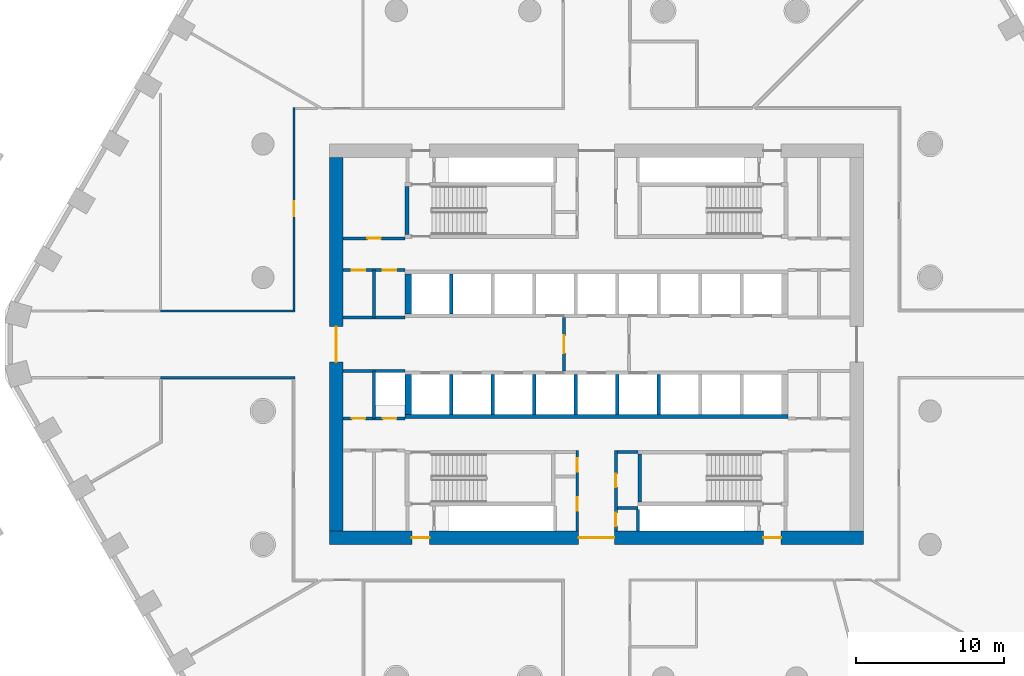
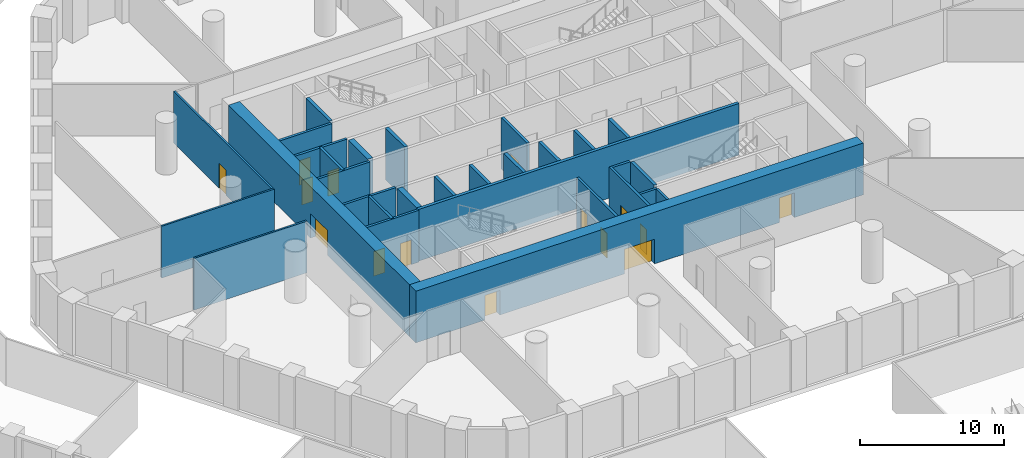
# One storey, part 19 of 42: 30 walls, 15 doors, 15 openings.
"""IFC4 building model written with IfcOpenShell, lengths in metres."""

from ifc_helpers import new_model, si_unit, direction, frame, frame_2d, origin, place, context, subcontext, project, spatial, polyline, rectangle, outline, extrude, material, layer, layer_set, type_object, element, fill, save


model = new_model("IFC4")

# Units and contexts
model_context = context("Model", 3, precision=1e-05, world=origin(), true_north=direction((0.0, 1.0)))
body_context = subcontext(model_context, "Body", "Model", "MODEL_VIEW")
ifc_project = project(units=[si_unit("LENGTHUNIT", "METRE"), si_unit("AREAUNIT", "SQUARE_METRE"), si_unit("VOLUMEUNIT", "CUBIC_METRE"), si_unit("PLANEANGLEUNIT", "RADIAN"), si_unit("MASSUNIT", "GRAM", prefix="KILO")], contexts=[model_context])

# Site, building, storey
site_placement = place(None, origin())
site = spatial("IfcSite", under=ifc_project, at=site_placement, CompositionType="ELEMENT")
building_placement = place(site_placement, origin())
building = spatial("IfcBuilding", under=site, at=building_placement, Name="Dhurran Vertical Campus", CompositionType="ELEMENT")
storey_placement = place(building_placement, frame((0.0, 0.0, 6.0)))
storey = spatial("IfcBuildingStorey", under=building, at=storey_placement, Name="L01", CompositionType="ELEMENT", Elevation=6.0)

# Wall, openings, doors
ifc_material_1 = material(Name="Concrete C60/75", Category="concrete")
ifc_layer_1 = layer(ifc_material_1, 0.89990234375)
ifc_layer_set_1 = layer_set([ifc_layer_1], Name="Concrete C60/75")
wall_type_1 = type_object("IfcWallType", Name="co-CORE-WALL-C0-900", PredefinedType="SHEAR", material=ifc_layer_set_1)
wall_1_placement = place(storey_placement, frame((-18.0, -13.050048828125, 0.0), z_axis=(0.0, 0.0, 1.0), x_axis=(1.0, 0.0, 0.0)))
wall_1 = element("IfcWall", 1, at=wall_1_placement, inside=storey, type_object=wall_type_1, Name="Core wall S L01", PredefinedType="SHEAR", context=body_context, shape_type="SweptSolid", body=[
    extrude(rectangle(XDim=36.0, YDim=0.89990234375, at=frame_2d((18.0, 0.0))), origin(), (0.0, 0.0, 1.0), 4.39990234375),
])
opening_1_placement = place(wall_1_placement, frame((16.800048828125, 0.0, 0.0)))
opening_1 = element("IfcOpeningElement", 2, at=opening_1_placement, cuts=wall_1, Name="Opening CV2", PredefinedType="OPENING", context=body_context, shape_type="SweptSolid", body=[
    extrude(rectangle(XDim=2.39990234375, YDim=2.10009765625, at=frame_2d((1.199951171875, 1.050048828125))), frame((0.0, 0.4599609375, 0.0), z_axis=(0.0, -1.0, 0.0), x_axis=(1.0, 0.0, 0.0)), (0.0, 0.0, 1.0), 0.919921875),
])
opening_2_placement = place(wall_1_placement, frame((5.550048828125, 0.0, 0.0)))
opening_2 = element("IfcOpeningElement", 3, at=opening_2_placement, cuts=wall_1, Name="Opening XD3", PredefinedType="OPENING", context=body_context, shape_type="SweptSolid", body=[
    extrude(rectangle(XDim=1.199951171875, YDim=2.10009765625, at=frame_2d((0.60009765625, 1.050048828125))), frame((0.0, 0.4599609375, 0.0), z_axis=(0.0, -1.0, 0.0), x_axis=(1.0, 0.0, 0.0)), (0.0, 0.0, 1.0), 0.919921875),
])
opening_3_placement = place(wall_1_placement, frame((29.25, 0.0, 0.0)))
opening_3 = element("IfcOpeningElement", 4, at=opening_3_placement, cuts=wall_1, Name="Opening XD4", PredefinedType="OPENING", context=body_context, shape_type="SweptSolid", body=[
    extrude(rectangle(XDim=1.199951171875, YDim=2.10009765625, at=frame_2d((0.60009765625, 1.050048828125))), frame((0.0, 0.4599609375, 0.0), z_axis=(0.0, -1.0, 0.0), x_axis=(1.0, 0.0, 0.0)), (0.0, 0.0, 1.0), 0.919921875),
])
ifc_material_2 = material(Name="Fire-rated glazed door set")
door_type_1 = type_object("IfcDoorType", Name="co-D-LOBBY 2400x2100", OperationType="DOUBLE_DOOR_DOUBLE_SWING", PredefinedType="DOOR", material=ifc_material_2)
door_1_placement = place(opening_1_placement, origin())
door_1 = element("IfcDoor", 5, at=door_1_placement, inside=storey, type_object=door_type_1, Name="Core vestibule door S L01", OperationType="DOUBLE_DOOR_DOUBLE_SWING", OverallHeight=2.10009765625, OverallWidth=2.39990234375, PredefinedType="DOOR", context=body_context, shape_type="SweptSolid", body=[
    extrude(rectangle(XDim=2.39990234375, YDim=2.10009765625, at=frame_2d((1.199951171875, 1.050048828125))), frame((0.0, 0.02490234375, 0.0), z_axis=(0.0, -1.0, 0.0), x_axis=(1.0, 0.0, 0.0)), (0.0, 0.0, 1.0), 0.050048828125),
])
fill(opening_1, door_1)
ifc_material_3 = material(Name="Fire-rated steel door set", Category="steel")
door_type_2 = type_object("IfcDoorType", Name="co-D-STAIR-EXIT 1200x2100", OperationType="SINGLE_SWING_RIGHT", PredefinedType="DOOR", material=ifc_material_3)
door_2_placement = place(opening_2_placement, origin())
door_2 = element("IfcDoor", 6, at=door_2_placement, inside=storey, type_object=door_type_2, Name="Stair ST3 exit door L01", OperationType="SINGLE_SWING_RIGHT", OverallHeight=2.10009765625, OverallWidth=1.199951171875, PredefinedType="DOOR", context=body_context, shape_type="SweptSolid", body=[
    extrude(rectangle(XDim=1.199951171875, YDim=2.10009765625, at=frame_2d((0.60009765625, 1.050048828125))), frame((0.0, 0.02490234375, 0.0), z_axis=(0.0, -1.0, 0.0), x_axis=(1.0, 0.0, 0.0)), (0.0, 0.0, 1.0), 0.050048828125),
])
fill(opening_2, door_2)
door_3_placement = place(opening_3_placement, origin())
door_3 = element("IfcDoor", 7, at=door_3_placement, inside=storey, type_object=door_type_2, Name="Stair ST4 exit door L01", OperationType="SINGLE_SWING_RIGHT", OverallHeight=2.10009765625, OverallWidth=1.199951171875, PredefinedType="DOOR", context=body_context, shape_type="SweptSolid", body=[
    extrude(rectangle(XDim=1.199951171875, YDim=2.10009765625, at=frame_2d((0.60009765625, 1.050048828125))), frame((0.0, 0.02490234375, 0.0), z_axis=(0.0, -1.0, 0.0), x_axis=(1.0, 0.0, 0.0)), (0.0, 0.0, 1.0), 0.050048828125),
])
fill(opening_3, door_3)

# Wall, opening, door
wall_2_placement = place(storey_placement, frame((-17.550048828125, -12.60009765625, 0.0), z_axis=(0.0, 0.0, 1.0), x_axis=(0.0, 1.0, 0.0)))
wall_2 = element("IfcWall", 8, at=wall_2_placement, inside=storey, type_object=wall_type_1, Name="Core wall W L01", PredefinedType="SHEAR", context=body_context, shape_type="SweptSolid", body=[
    extrude(rectangle(XDim=25.2001953125, YDim=0.89990234375, at=frame_2d((12.60009765625, 0.0))), origin(), (0.0, 0.0, 1.0), 4.39990234375),
])
opening_4_placement = place(wall_2_placement, frame((11.39990234375, 0.0, 0.0)))
opening_4 = element("IfcOpeningElement", 9, at=opening_4_placement, cuts=wall_2, Name="Opening CL1", PredefinedType="OPENING", context=body_context, shape_type="SweptSolid", body=[
    extrude(rectangle(XDim=2.39990234375, YDim=2.10009765625, at=frame_2d((1.199951171875, 1.050048828125))), frame((0.0, 0.4599609375, 0.0), z_axis=(0.0, -1.0, 0.0), x_axis=(1.0, 0.0, 0.0)), (0.0, 0.0, 1.0), 0.919921875),
])
door_4_placement = place(opening_4_placement, origin())
door_4 = element("IfcDoor", 10, at=door_4_placement, inside=storey, type_object=door_type_1, Name="Lift lobby door W L01", OperationType="DOUBLE_DOOR_DOUBLE_SWING", OverallHeight=2.10009765625, OverallWidth=2.39990234375, PredefinedType="DOOR", context=body_context, shape_type="SweptSolid", body=[
    extrude(rectangle(XDim=2.39990234375, YDim=2.10009765625, at=frame_2d((1.199951171875, 1.050048828125))), frame((0.0, 0.02490234375, 0.0), z_axis=(0.0, -1.0, 0.0), x_axis=(1.0, 0.0, 0.0)), (0.0, 0.0, 1.0), 0.050048828125),
])
fill(opening_4, door_4)

ifc_material_4 = material(Name="Fire-rated masonry blockwork", Category="masonry")
ifc_layer_2 = layer(ifc_material_4, 0.199951171875)
ifc_layer_set_2 = layer_set([ifc_layer_2], Name="Fire-rated masonry blockwork")
wall_type_2 = type_object("IfcWallType", Name="co-FIRE-PARTITION-200", PredefinedType="PARTITIONING", material=ifc_layer_set_2)
wall_3_placement = place(storey_placement, frame((-2.199951171875, -1.800048828125, 0.0), z_axis=(0.0, 0.0, 1.0), x_axis=(0.0, 1.0, 0.0)))
wall_3 = element("IfcWall", 11, at=wall_3_placement, inside=storey, type_object=wall_type_2, Name="Firefighting lobby wall W L01", PredefinedType="PARTITIONING", context=body_context, shape_type="SweptSolid", body=[
    extrude(rectangle(XDim=3.60009765625, YDim=0.199951171875, at=frame_2d((1.800048828125, 0.0))), origin(), (0.0, 0.0, 1.0), 4.39990234375),
])
opening_5_placement = place(wall_3_placement, frame((1.199951171875, 0.0, 0.0)))
opening_5 = element("IfcOpeningElement", 12, at=opening_5_placement, cuts=wall_3, Name="Opening FL1", PredefinedType="OPENING", context=body_context, shape_type="SweptSolid", body=[
    extrude(rectangle(XDim=1.199951171875, YDim=2.10009765625, at=frame_2d((0.60009765625, 1.050048828125))), frame((0.0, 0.10986328125, 0.0), z_axis=(0.0, -1.0, 0.0), x_axis=(1.0, 0.0, 0.0)), (0.0, 0.0, 1.0), 0.219970703125),
])
ifc_material_5 = material(Name="Fire-rated steel door set", Category="steel")
door_type_3 = type_object("IfcDoorType", Name="co-D-FFLOBBY 1200x2100", OperationType="SINGLE_SWING_LEFT", PredefinedType="DOOR", material=ifc_material_5)
door_5_placement = place(opening_5_placement, origin())
door_5 = element("IfcDoor", 13, at=door_5_placement, inside=storey, type_object=door_type_3, Name="Firefighting lobby door W L01", OperationType="SINGLE_SWING_LEFT", OverallHeight=2.10009765625, OverallWidth=1.199951171875, PredefinedType="DOOR", context=body_context, shape_type="SweptSolid", body=[
    extrude(rectangle(XDim=1.199951171875, YDim=2.10009765625, at=frame_2d((0.60009765625, 1.050048828125))), frame((0.0, 0.02490234375, 0.0), z_axis=(0.0, -1.0, 0.0), x_axis=(1.0, 0.0, 0.0)), (0.0, 0.0, 1.0), 0.050048828125),
])
fill(opening_5, door_5)

# Walls
for number, where, z_axis, x_axis, name in (
    (14, (1.39990234375, -7.25, 0.0), (0.0, 0.0, 1.0), (1.0, 0.0, 0.0), "Core partition sl-SE-S L01"),
    (15, (1.39990234375, -11.02490234375, 0.0), (0.0, 0.0, 1.0), (1.0, 0.0, 0.0), "Core partition sl-SE-cut0 L01"),
):
    element("IfcWall", number, at=place(storey_placement, frame(where, z_axis=z_axis, x_axis=x_axis)), inside=storey, type_object=wall_type_2, Name=name, PredefinedType="PARTITIONING", context=body_context, shape_type="SweptSolid", body=[
        extrude(rectangle(XDim=1.400146484375, YDim=0.199951171875, at=frame_2d((0.7001953125, 0.0))), origin(), (0.0, 0.0, 1.0), 4.39990234375),
    ])

# Wall, openings, doors
wall_4_placement = place(storey_placement, frame((-1.300048828125, -12.60009765625, 0.0), z_axis=(0.0, 0.0, 1.0), x_axis=(0.0, 1.0, 0.0)))
wall_4 = element("IfcWall", 16, at=wall_4_placement, inside=storey, type_object=wall_type_2, Name="Core partition vest-SW L01", PredefinedType="PARTITIONING", context=body_context, shape_type="SweptSolid", body=[
    extrude(rectangle(XDim=5.4501953125, YDim=0.199951171875, at=frame_2d((2.72509765625, 0.0))), origin(), (0.0, 0.0, 1.0), 4.39990234375),
])
opening_6_placement = place(wall_4_placement, frame((1.387451171875, 0.0, 0.0)))
opening_6 = element("IfcOpeningElement", 17, at=opening_6_placement, cuts=wall_4, Name="Opening PD01-C1", PredefinedType="OPENING", context=body_context, shape_type="SweptSolid", body=[
    extrude(rectangle(XDim=0.89990234375, YDim=2.10009765625, at=frame_2d((0.449951171875, 1.050048828125))), frame((0.0, 0.10986328125, 0.0), z_axis=(0.0, -1.0, 0.0), x_axis=(1.0, 0.0, 0.0)), (0.0, 0.0, 1.0), 0.219970703125),
])
opening_7_placement = place(wall_4_placement, frame((4.012451171875, 0.0, 0.0)))
opening_7 = element("IfcOpeningElement", 18, at=opening_7_placement, cuts=wall_4, Name="Opening PD01-C2", PredefinedType="OPENING", context=body_context, shape_type="SweptSolid", body=[
    extrude(rectangle(XDim=0.89990234375, YDim=2.10009765625, at=frame_2d((0.449951171875, 1.050048828125))), frame((0.0, 0.10986328125, 0.0), z_axis=(0.0, -1.0, 0.0), x_axis=(1.0, 0.0, 0.0)), (0.0, 0.0, 1.0), 0.219970703125),
])
ifc_material_6 = material(Name="Fire-rated timber door set", Category="wood")
door_type_4 = type_object("IfcDoorType", Name="co-D-ROOM 900x2100", OperationType="SINGLE_SWING_LEFT", PredefinedType="DOOR", material=ifc_material_6)
door_6_placement = place(opening_6_placement, origin())
door_6 = element("IfcDoor", 19, at=door_6_placement, inside=storey, type_object=door_type_4, Name="Store door L01", OperationType="SINGLE_SWING_LEFT", OverallHeight=2.10009765625, OverallWidth=0.89990234375, PredefinedType="DOOR", context=body_context, shape_type="SweptSolid", body=[
    extrude(rectangle(XDim=0.89990234375, YDim=2.10009765625, at=frame_2d((0.449951171875, 1.050048828125))), frame((0.0, 0.02490234375, 0.0), z_axis=(0.0, -1.0, 0.0), x_axis=(1.0, 0.0, 0.0)), (0.0, 0.0, 1.0), 0.050048828125),
])
fill(opening_6, door_6)
door_7_placement = place(opening_7_placement, origin())
door_7 = element("IfcDoor", 20, at=door_7_placement, inside=storey, type_object=door_type_4, Name="Housekeeping store door L01", OperationType="SINGLE_SWING_LEFT", OverallHeight=2.10009765625, OverallWidth=0.89990234375, PredefinedType="DOOR", context=body_context, shape_type="SweptSolid", body=[
    extrude(rectangle(XDim=0.89990234375, YDim=2.10009765625, at=frame_2d((0.449951171875, 1.050048828125))), frame((0.0, 0.02490234375, 0.0), z_axis=(0.0, -1.0, 0.0), x_axis=(1.0, 0.0, 0.0)), (0.0, 0.0, 1.0), 0.050048828125),
])
fill(opening_7, door_7)

wall_5_placement = place(storey_placement, frame((1.300048828125, -12.60009765625, 0.0), z_axis=(0.0, 0.0, 1.0), x_axis=(0.0, 1.0, 0.0)))
wall_5 = element("IfcWall", 21, at=wall_5_placement, inside=storey, type_object=wall_type_2, Name="Core partition vest-SE L01", PredefinedType="PARTITIONING", context=body_context, shape_type="SweptSolid", body=[
    extrude(rectangle(XDim=5.4501953125, YDim=0.199951171875, at=frame_2d((2.72509765625, 0.0))), origin(), (0.0, 0.0, 1.0), 4.39990234375),
])
opening_8_placement = place(wall_5_placement, frame((0.33740234375, 0.0, 0.0)))
opening_8 = element("IfcOpeningElement", 22, at=opening_8_placement, cuts=wall_5, Name="Opening PD01-C3", PredefinedType="OPENING", context=body_context, shape_type="SweptSolid", body=[
    extrude(rectangle(XDim=0.89990234375, YDim=2.10009765625, at=frame_2d((0.449951171875, 1.050048828125))), frame((0.0, 0.10986328125, 0.0), z_axis=(0.0, -1.0, 0.0), x_axis=(1.0, 0.0, 0.0)), (0.0, 0.0, 1.0), 0.219970703125),
])
opening_9_placement = place(wall_5_placement, frame((2.96240234375, 0.0, 0.0)))
opening_9 = element("IfcOpeningElement", 23, at=opening_9_placement, cuts=wall_5, Name="Opening PD01-C4", PredefinedType="OPENING", context=body_context, shape_type="SweptSolid", body=[
    extrude(rectangle(XDim=0.89990234375, YDim=2.10009765625, at=frame_2d((0.449951171875, 1.050048828125))), frame((0.0, 0.10986328125, 0.0), z_axis=(0.0, -1.0, 0.0), x_axis=(1.0, 0.0, 0.0)), (0.0, 0.0, 1.0), 0.219970703125),
])
door_8_placement = place(opening_8_placement, origin())
door_8 = element("IfcDoor", 24, at=door_8_placement, inside=storey, type_object=door_type_4, Name="Waste room door L01", OperationType="SINGLE_SWING_LEFT", OverallHeight=2.10009765625, OverallWidth=0.89990234375, PredefinedType="DOOR", context=body_context, shape_type="SweptSolid", body=[
    extrude(rectangle(XDim=0.89990234375, YDim=2.10009765625, at=frame_2d((0.449951171875, 1.050048828125))), frame((0.0, 0.02490234375, 0.0), z_axis=(0.0, -1.0, 0.0), x_axis=(1.0, 0.0, 0.0)), (0.0, 0.0, 1.0), 0.050048828125),
])
fill(opening_8, door_8)
door_9_placement = place(opening_9_placement, origin())
door_9 = element("IfcDoor", 25, at=door_9_placement, inside=storey, type_object=door_type_4, Name="Electrical riser door L01", OperationType="SINGLE_SWING_LEFT", OverallHeight=2.10009765625, OverallWidth=0.89990234375, PredefinedType="DOOR", context=body_context, shape_type="SweptSolid", body=[
    extrude(rectangle(XDim=0.89990234375, YDim=2.10009765625, at=frame_2d((0.449951171875, 1.050048828125))), frame((0.0, 0.02490234375, 0.0), z_axis=(0.0, -1.0, 0.0), x_axis=(1.0, 0.0, 0.0)), (0.0, 0.0, 1.0), 0.050048828125),
])
fill(opening_9, door_9)

# Wall, opening, door
wall_6_placement = place(storey_placement, frame((-17.10009765625, 7.14990234375, 0.0), z_axis=(0.0, 0.0, 1.0), x_axis=(1.0, 0.0, 0.0)))
wall_6 = element("IfcWall", 26, at=wall_6_placement, inside=storey, type_object=wall_type_2, Name="Core partition en-NW-w L01", PredefinedType="PARTITIONING", context=body_context, shape_type="SweptSolid", body=[
    extrude(rectangle(XDim=4.2001953125, YDim=0.199951171875, at=frame_2d((2.10009765625, 0.0))), origin(), (0.0, 0.0, 1.0), 4.39990234375),
])
opening_10_placement = place(wall_6_placement, frame((1.64990234375, 0.0, 0.0)))
opening_10 = element("IfcOpeningElement", 27, at=opening_10_placement, cuts=wall_6, Name="Opening PD01-C12", PredefinedType="OPENING", context=body_context, shape_type="SweptSolid", body=[
    extrude(rectangle(XDim=0.89990234375, YDim=2.10009765625, at=frame_2d((0.449951171875, 1.050048828125))), frame((0.0, 0.10986328125, 0.0), z_axis=(0.0, -1.0, 0.0), x_axis=(1.0, 0.0, 0.0)), (0.0, 0.0, 1.0), 0.219970703125),
])
door_10_placement = place(opening_10_placement, origin())
door_10 = element("IfcDoor", 28, at=door_10_placement, inside=storey, type_object=door_type_4, Name="Communications room door L01", OperationType="SINGLE_SWING_LEFT", OverallHeight=2.10009765625, OverallWidth=0.89990234375, PredefinedType="DOOR", context=body_context, shape_type="SweptSolid", body=[
    extrude(rectangle(XDim=0.89990234375, YDim=2.10009765625, at=frame_2d((0.449951171875, 1.050048828125))), frame((0.0, 0.02490234375, 0.0), z_axis=(0.0, -1.0, 0.0), x_axis=(1.0, 0.0, 0.0)), (0.0, 0.0, 1.0), 0.050048828125),
])
fill(opening_10, door_10)

# Wall
wall_7_placement = place(storey_placement, frame((-15.0, 1.800048828125, 0.0), z_axis=(0.0, 0.0, 1.0), x_axis=(0.0, 1.0, 0.0)))
element("IfcWall", 29, at=wall_7_placement, inside=storey, type_object=wall_type_2, Name="Core partition es-NW-cut0 L01", PredefinedType="PARTITIONING", context=body_context, shape_type="SweptSolid", body=[
    extrude(rectangle(XDim=3.199951171875, YDim=0.199951171875, at=frame_2d((1.60009765625, 0.0))), origin(), (0.0, 0.0, 1.0), 4.39990234375),
])

# Wall, openings, doors
wall_8_placement = place(storey_placement, frame((-17.10009765625, 5.0, 0.0), z_axis=(0.0, 0.0, 1.0), x_axis=(1.0, 0.0, 0.0)))
wall_8 = element("IfcWall", 30, at=wall_8_placement, inside=storey, type_object=wall_type_2, Name="Core partition es-NW-w L01", PredefinedType="PARTITIONING", context=body_context, shape_type="SweptSolid", body=[
    extrude(rectangle(XDim=4.2001953125, YDim=0.199951171875, at=frame_2d((2.10009765625, 0.0))), origin(), (0.0, 0.0, 1.0), 4.39990234375),
])
opening_11_placement = place(wall_8_placement, frame((0.60009765625, 0.0, 0.0)))
opening_11 = element("IfcOpeningElement", 31, at=opening_11_placement, cuts=wall_8, Name="Opening PD01-C13", PredefinedType="OPENING", context=body_context, shape_type="SweptSolid", body=[
    extrude(rectangle(XDim=0.89990234375, YDim=2.10009765625, at=frame_2d((0.449951171875, 1.050048828125))), frame((0.0, 0.10986328125, 0.0), z_axis=(0.0, -1.0, 0.0), x_axis=(1.0, 0.0, 0.0)), (0.0, 0.0, 1.0), 0.219970703125),
])
opening_12_placement = place(wall_8_placement, frame((2.699951171875, 0.0, 0.0)))
opening_12 = element("IfcOpeningElement", 32, at=opening_12_placement, cuts=wall_8, Name="Opening PD01-C14", PredefinedType="OPENING", context=body_context, shape_type="SweptSolid", body=[
    extrude(rectangle(XDim=0.89990234375, YDim=2.10009765625, at=frame_2d((0.449951171875, 1.050048828125))), frame((0.0, 0.10986328125, 0.0), z_axis=(0.0, -1.0, 0.0), x_axis=(1.0, 0.0, 0.0)), (0.0, 0.0, 1.0), 0.219970703125),
])
door_11_placement = place(opening_11_placement, origin())
door_11 = element("IfcDoor", 33, at=door_11_placement, inside=storey, type_object=door_type_4, Name="Fire equipment store door L01", OperationType="SINGLE_SWING_LEFT", OverallHeight=2.10009765625, OverallWidth=0.89990234375, PredefinedType="DOOR", context=body_context, shape_type="SweptSolid", body=[
    extrude(rectangle(XDim=0.89990234375, YDim=2.10009765625, at=frame_2d((0.449951171875, 1.050048828125))), frame((0.0, 0.02490234375, 0.0), z_axis=(0.0, -1.0, 0.0), x_axis=(1.0, 0.0, 0.0)), (0.0, 0.0, 1.0), 0.050048828125),
])
fill(opening_11, door_11)
door_12_placement = place(opening_12_placement, origin())
door_12 = element("IfcDoor", 34, at=door_12_placement, inside=storey, type_object=door_type_4, Name="Water riser door L01", OperationType="SINGLE_SWING_LEFT", OverallHeight=2.10009765625, OverallWidth=0.89990234375, PredefinedType="DOOR", context=body_context, shape_type="SweptSolid", body=[
    extrude(rectangle(XDim=0.89990234375, YDim=2.10009765625, at=frame_2d((0.449951171875, 1.050048828125))), frame((0.0, 0.02490234375, 0.0), z_axis=(0.0, -1.0, 0.0), x_axis=(1.0, 0.0, 0.0)), (0.0, 0.0, 1.0), 0.050048828125),
])
fill(opening_12, door_12)

# Walls
wall_9_placement = place(storey_placement, frame((-17.10009765625, 1.800048828125, 0.0), z_axis=(0.0, 0.0, 1.0), x_axis=(1.0, 0.0, 0.0)))
element("IfcWall", 35, at=wall_9_placement, inside=storey, type_object=wall_type_2, Name="Core partition es-NW-l L01", PredefinedType="PARTITIONING", context=body_context, shape_type="SweptSolid", body=[
    extrude(rectangle(XDim=4.2001953125, YDim=0.199951171875, at=frame_2d((2.10009765625, 0.0))), origin(), (0.0, 0.0, 1.0), 4.39990234375),
])
wall_10_placement = place(storey_placement, frame((-15.0, -5.0, 0.0), z_axis=(0.0, 0.0, 1.0), x_axis=(0.0, 1.0, 0.0)))
element("IfcWall", 36, at=wall_10_placement, inside=storey, type_object=wall_type_2, Name="Core partition es-SW-cut0 L01", PredefinedType="PARTITIONING", context=body_context, shape_type="SweptSolid", body=[
    extrude(rectangle(XDim=3.199951171875, YDim=0.199951171875, at=frame_2d((1.60009765625, 0.0))), origin(), (0.0, 0.0, 1.0), 4.39990234375),
])

# Wall, openings, doors
wall_11_placement = place(storey_placement, frame((-17.10009765625, -5.0, 0.0), z_axis=(0.0, 0.0, 1.0), x_axis=(1.0, 0.0, 0.0)))
wall_11 = element("IfcWall", 37, at=wall_11_placement, inside=storey, type_object=wall_type_2, Name="Core partition es-SW-w L01", PredefinedType="PARTITIONING", context=body_context, shape_type="SweptSolid", body=[
    extrude(rectangle(XDim=4.2001953125, YDim=0.199951171875, at=frame_2d((2.10009765625, 0.0))), origin(), (0.0, 0.0, 1.0), 4.39990234375),
])
opening_13_placement = place(wall_11_placement, frame((0.60009765625, 0.0, 0.0)))
opening_13 = element("IfcOpeningElement", 38, at=opening_13_placement, cuts=wall_11, Name="Opening PD01-C21", PredefinedType="OPENING", context=body_context, shape_type="SweptSolid", body=[
    extrude(rectangle(XDim=0.89990234375, YDim=2.10009765625, at=frame_2d((0.449951171875, 1.050048828125))), frame((0.0, 0.10986328125, 0.0), z_axis=(0.0, -1.0, 0.0), x_axis=(1.0, 0.0, 0.0)), (0.0, 0.0, 1.0), 0.219970703125),
])
opening_14_placement = place(wall_11_placement, frame((2.699951171875, 0.0, 0.0)))
opening_14 = element("IfcOpeningElement", 39, at=opening_14_placement, cuts=wall_11, Name="Opening PD01-C22", PredefinedType="OPENING", context=body_context, shape_type="SweptSolid", body=[
    extrude(rectangle(XDim=0.89990234375, YDim=2.10009765625, at=frame_2d((0.449951171875, 1.050048828125))), frame((0.0, 0.10986328125, 0.0), z_axis=(0.0, -1.0, 0.0), x_axis=(1.0, 0.0, 0.0)), (0.0, 0.0, 1.0), 0.219970703125),
])
door_13_placement = place(opening_13_placement, origin())
door_13 = element("IfcDoor", 40, at=door_13_placement, inside=storey, type_object=door_type_4, Name="Water riser door L01", OperationType="SINGLE_SWING_LEFT", OverallHeight=2.10009765625, OverallWidth=0.89990234375, PredefinedType="DOOR", context=body_context, shape_type="SweptSolid", body=[
    extrude(rectangle(XDim=0.89990234375, YDim=2.10009765625, at=frame_2d((0.449951171875, 1.050048828125))), frame((0.0, 0.02490234375, 0.0), z_axis=(0.0, -1.0, 0.0), x_axis=(1.0, 0.0, 0.0)), (0.0, 0.0, 1.0), 0.050048828125),
])
fill(opening_13, door_13)
door_14_placement = place(opening_14_placement, origin())
door_14 = element("IfcDoor", 41, at=door_14_placement, inside=storey, type_object=door_type_4, Name="Electrical riser door L01", OperationType="SINGLE_SWING_LEFT", OverallHeight=2.10009765625, OverallWidth=0.89990234375, PredefinedType="DOOR", context=body_context, shape_type="SweptSolid", body=[
    extrude(rectangle(XDim=0.89990234375, YDim=2.10009765625, at=frame_2d((0.449951171875, 1.050048828125))), frame((0.0, 0.02490234375, 0.0), z_axis=(0.0, -1.0, 0.0), x_axis=(1.0, 0.0, 0.0)), (0.0, 0.0, 1.0), 0.050048828125),
])
fill(opening_14, door_14)

# Walls
wall_12_placement = place(storey_placement, frame((-17.10009765625, -1.800048828125, 0.0), z_axis=(0.0, 0.0, 1.0), x_axis=(1.0, 0.0, 0.0)))
element("IfcWall", 42, at=wall_12_placement, inside=storey, type_object=wall_type_2, Name="Core partition es-SW-l L01", PredefinedType="PARTITIONING", context=body_context, shape_type="SweptSolid", body=[
    extrude(rectangle(XDim=4.2001953125, YDim=0.199951171875, at=frame_2d((2.10009765625, 0.0))), origin(), (0.0, 0.0, 1.0), 4.39990234375),
])
wall_13_placement = place(storey_placement, frame((2.800048828125, -11.1259765625, 0.0), z_axis=(0.0, 0.0, 1.0), x_axis=(0.0, -1.0, 0.0)))
element("IfcWall", 43, at=wall_13_placement, inside=storey, type_object=wall_type_2, Name="Riser enclosure wall L01", PredefinedType="PARTITIONING", context=body_context, shape_type="SweptSolid", body=[
    extrude(rectangle(XDim=1.47314453125, YDim=0.199951171875, at=frame_2d((0.736572265625, 0.0))), origin(), (0.0, 0.0, 1.0), 4.39990234375),
])
ifc_material_7 = material(Name="Concrete C50/60", Category="concrete")
ifc_layer_3 = layer(ifc_material_7, 0.25)
ifc_layer_set_3 = layer_set([ifc_layer_3], Name="Concrete C50/60")
wall_type_3 = type_object("IfcWallType", Name="co-SHAFT-MASS-250", PredefinedType="SHEAR", material=ifc_layer_set_3)
wall_14_placement = place(storey_placement, origin())
element("IfcWall", 44, at=wall_14_placement, inside=storey, type_object=wall_type_3, Name="Lift shaft wall N L01 2", PredefinedType="SHEAR", context=body_context, shape_type="SweptSolid", body=[
    extrude(outline(polyline([(-12.89990234375, 2.050048828125), (-12.47509765625, 2.050048828125), (-12.47509765625, 4.75), (-12.89990234375, 4.75), (-12.89990234375, 2.050048828125)])), origin(), (0.0, 0.0, 1.0), 4.39990234375),
])
wall_15_placement = place(storey_placement, origin())
element("IfcWall", 45, at=wall_15_placement, inside=storey, type_object=wall_type_3, Name="Lift shaft wall N L01 3", PredefinedType="SHEAR", context=body_context, shape_type="SweptSolid", body=[
    extrude(outline(polyline([(-9.925048828125, 2.050048828125), (-9.675048828125, 2.050048828125), (-9.675048828125, 4.75), (-9.925048828125, 4.75), (-9.925048828125, 2.050048828125)])), origin(), (0.0, 0.0, 1.0), 4.39990234375),
])
wall_16_placement = place(storey_placement, origin())
element("IfcWall", 46, at=wall_16_placement, inside=storey, type_object=wall_type_3, Name="Lift shaft wall S L01 1", PredefinedType="SHEAR", context=body_context, shape_type="SweptSolid", body=[
    extrude(outline(polyline([(-12.89990234375, -5.0), (12.89990234375, -5.0), (12.89990234375, -4.75), (-12.89990234375, -4.75), (-12.89990234375, -5.0)])), origin(), (0.0, 0.0, 1.0), 4.39990234375),
])
wall_17_placement = place(storey_placement, origin())
element("IfcWall", 47, at=wall_17_placement, inside=storey, type_object=wall_type_3, Name="Lift shaft wall S L01 2", PredefinedType="SHEAR", context=body_context, shape_type="SweptSolid", body=[
    extrude(outline(polyline([(-12.89990234375, -4.75), (-12.47509765625, -4.75), (-12.47509765625, -2.050048828125), (-12.89990234375, -2.050048828125), (-12.89990234375, -4.75)])), origin(), (0.0, 0.0, 1.0), 4.39990234375),
])
wall_18_placement = place(storey_placement, origin())
element("IfcWall", 48, at=wall_18_placement, inside=storey, type_object=wall_type_3, Name="Lift shaft wall S L01 3", PredefinedType="SHEAR", context=body_context, shape_type="SweptSolid", body=[
    extrude(outline(polyline([(-9.925048828125, -4.75), (-9.675048828125, -4.75), (-9.675048828125, -2.050048828125), (-9.925048828125, -2.050048828125), (-9.925048828125, -4.75)])), origin(), (0.0, 0.0, 1.0), 4.39990234375),
])
wall_19_placement = place(storey_placement, origin())
element("IfcWall", 49, at=wall_19_placement, inside=storey, type_object=wall_type_3, Name="Lift shaft wall S L01 4", PredefinedType="SHEAR", context=body_context, shape_type="SweptSolid", body=[
    extrude(outline(polyline([(-7.125, -4.75), (-6.875, -4.75), (-6.875, -2.050048828125), (-7.125, -2.050048828125), (-7.125, -4.75)])), origin(), (0.0, 0.0, 1.0), 4.39990234375),
])
wall_20_placement = place(storey_placement, origin())
element("IfcWall", 50, at=wall_20_placement, inside=storey, type_object=wall_type_3, Name="Lift shaft wall S L01 5", PredefinedType="SHEAR", context=body_context, shape_type="SweptSolid", body=[
    extrude(outline(polyline([(-4.324951171875, -4.75), (-4.074951171875, -4.75), (-4.074951171875, -2.050048828125), (-4.324951171875, -2.050048828125), (-4.324951171875, -4.75)])), origin(), (0.0, 0.0, 1.0), 4.39990234375),
])
wall_21_placement = place(storey_placement, origin())
element("IfcWall", 51, at=wall_21_placement, inside=storey, type_object=wall_type_3, Name="Lift shaft wall S L01 6", PredefinedType="SHEAR", context=body_context, shape_type="SweptSolid", body=[
    extrude(outline(polyline([(-1.52490234375, -4.75), (-1.27490234375, -4.75), (-1.27490234375, -2.050048828125), (-1.52490234375, -2.050048828125), (-1.52490234375, -4.75)])), origin(), (0.0, 0.0, 1.0), 4.39990234375),
])
wall_22_placement = place(storey_placement, origin())
element("IfcWall", 52, at=wall_22_placement, inside=storey, type_object=wall_type_3, Name="Lift shaft wall S L01 7", PredefinedType="SHEAR", context=body_context, shape_type="SweptSolid", body=[
    extrude(outline(polyline([(1.27490234375, -4.75), (1.52490234375, -4.75), (1.52490234375, -2.050048828125), (1.27490234375, -2.050048828125), (1.27490234375, -4.75)])), origin(), (0.0, 0.0, 1.0), 4.39990234375),
])
wall_23_placement = place(storey_placement, origin())
element("IfcWall", 53, at=wall_23_placement, inside=storey, type_object=wall_type_3, Name="Lift shaft wall S L01 8", PredefinedType="SHEAR", context=body_context, shape_type="SweptSolid", body=[
    extrude(outline(polyline([(4.074951171875, -4.75), (4.324951171875, -4.75), (4.324951171875, -2.050048828125), (4.074951171875, -2.050048828125), (4.074951171875, -4.75)])), origin(), (0.0, 0.0, 1.0), 4.39990234375),
])
ifc_material_8 = material(Name="Concrete C40/50", Category="concrete")
ifc_layer_4 = layer(ifc_material_8, 0.25)
ifc_layer_set_4 = layer_set([ifc_layer_4], Name="Concrete C40/50")
wall_type_4 = type_object("IfcWallType", Name="co-STAIR-WALL-250", PredefinedType="SHEAR", material=ifc_layer_set_4)
for number, where, z_axis, x_axis, name in (
    (54, (-12.77490234375, 7.39990234375, 0.0), (0.0, 0.0, 1.0), (0.0, 1.0, 0.0), "Stair ST1 enclosure wall L01"),
    (55, (2.925048828125, -10.64990234375, 0.0), (0.0, 0.0, 1.0), (0.0, 1.0, 0.0), "Stair ST4 enclosure wall L01"),
):
    element("IfcWall", number, at=place(storey_placement, frame(where, z_axis=z_axis, x_axis=x_axis)), inside=storey, type_object=wall_type_4, Name=name, PredefinedType="SHEAR", context=body_context, shape_type="SweptSolid", body=[
        extrude(rectangle(XDim=3.25, YDim=0.25, at=frame_2d((1.625, 0.0))), origin(), (0.0, 0.0, 1.0), 4.39990234375),
    ])
ifc_material_9 = material(Name="Gypsum board corridor wall on steel studs", Category="steel")
ifc_layer_5 = layer(ifc_material_9, 0.14990234375)
ifc_layer_set_5 = layer_set([ifc_layer_5], Name="Gypsum board corridor wall on steel studs")
wall_type_5 = type_object("IfcWallType", Name="fl-CW-150 corridor wall", PredefinedType="PARTITIONING", material=ifc_layer_set_5)
for number, where, z_axis, x_axis, name in (
    (56, (-20.324951171875, -2.25, 0.0), (0.0, 0.0, 1.0), (-1.0, 0.0, 0.0), "Partition 01-05"),
    (57, (-29.39990234375, 2.25, 0.0), (0.0, 0.0, 1.0), (1.0, 0.0, 0.0), "Partition 01-07"),
):
    element("IfcWall", number, at=place(storey_placement, frame(where, z_axis=z_axis, x_axis=x_axis)), inside=storey, type_object=wall_type_5, Name=name, PredefinedType="PARTITIONING", context=body_context, shape_type="SweptSolid", body=[
        extrude(rectangle(XDim=9.074951171875, YDim=0.14990234375, at=frame_2d((4.53759765625, 0.0))), origin(), (0.0, 0.0, 1.0), 4.39990234375),
    ])

# Wall, opening, door
wall_24_placement = place(storey_placement, frame((-20.39990234375, 15.97509765625, 0.0), z_axis=(0.0, 0.0, 1.0), x_axis=(0.0, -1.0, 0.0)))
wall_24 = element("IfcWall", 58, at=wall_24_placement, inside=storey, type_object=wall_type_5, Name="Partition 01-12", PredefinedType="PARTITIONING", context=body_context, shape_type="SweptSolid", body=[
    extrude(rectangle(XDim=13.650146484375, YDim=0.14990234375, at=frame_2d((6.8251953125, 0.0))), origin(), (0.0, 0.0, 1.0), 4.39990234375),
])
opening_15_placement = place(wall_24_placement, frame((6.324951171875, 0.0, 0.0)))
opening_15 = element("IfcOpeningElement", 59, at=opening_15_placement, cuts=wall_24, Name="Opening PD01.04", PredefinedType="OPENING", context=body_context, shape_type="SweptSolid", body=[
    extrude(rectangle(XDim=1.0, YDim=2.10009765625, at=frame_2d((0.5, 1.050048828125))), frame((0.0, 0.0849609375, 0.0), z_axis=(0.0, -1.0, 0.0), x_axis=(1.0, 0.0, 0.0)), (0.0, 0.0, 1.0), 0.169921875),
])
ifc_material_10 = material(Name="Solid-core timber door set, fire-rated", Category="wood")
door_type_5 = type_object("IfcDoorType", Name="fl-D-1000x2100", OperationType="SINGLE_SWING_LEFT", PredefinedType="DOOR", material=ifc_material_10)
door_15_placement = place(opening_15_placement, origin())
door_15 = element("IfcDoor", 60, at=door_15_placement, inside=storey, type_object=door_type_5, Name="Door 01.04", OperationType="SINGLE_SWING_RIGHT", OverallHeight=2.10009765625, OverallWidth=1.0, PredefinedType="DOOR", context=body_context, shape_type="SweptSolid", body=[
    extrude(rectangle(XDim=1.0, YDim=2.10009765625, at=frame_2d((0.5, 1.050048828125))), frame((0.0, 0.02490234375, 0.0), z_axis=(0.0, -1.0, 0.0), x_axis=(1.0, 0.0, 0.0)), (0.0, 0.0, 1.0), 0.050048828125),
])
fill(opening_15, door_15)

save(model, "model.ifc")
